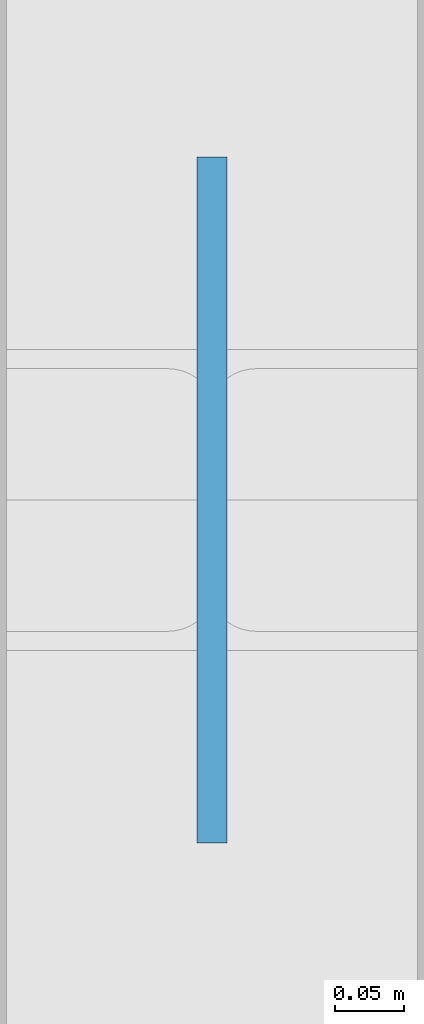
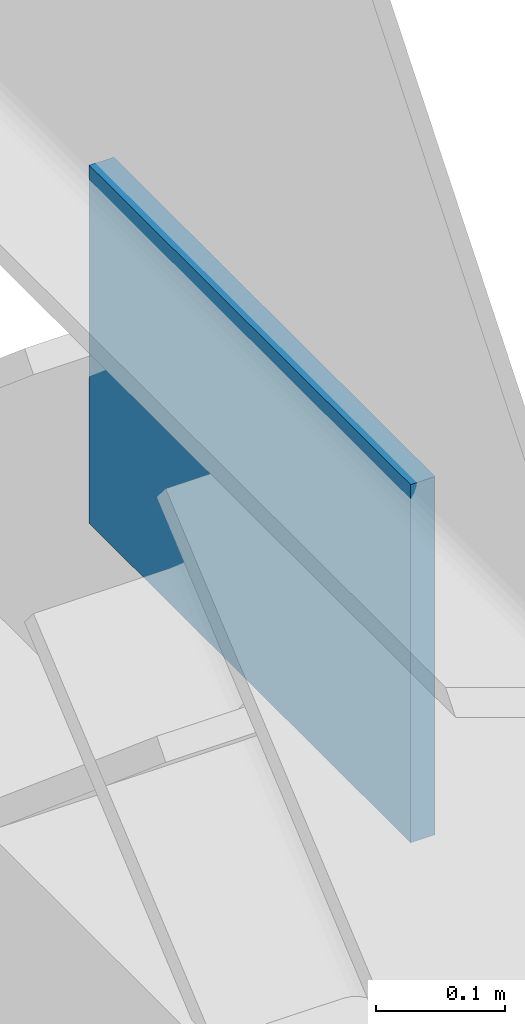
# One storey, part 91 of 124: 1 plate.
"""IFC4 building model written with IfcOpenShell, lengths in metres."""

from ifc_helpers import new_model, si_unit, direction, frame, origin, origin_2d, place, context, subcontext, project, spatial, rectangle, extrude, material, layer, layer_set, type_object, element, save


model = new_model("IFC4")

# Units and contexts
model_context = context("Model", 3, precision=1e-05, world=origin(), true_north=direction((0.0, 1.0)))
body_context = subcontext(model_context, "Body", "Model", "MODEL_VIEW")
ifc_project = project(units=[si_unit("LENGTHUNIT", "METRE"), si_unit("AREAUNIT", "SQUARE_METRE"), si_unit("VOLUMEUNIT", "CUBIC_METRE"), si_unit("PLANEANGLEUNIT", "RADIAN"), si_unit("MASSUNIT", "GRAM", prefix="KILO")], contexts=[model_context])

# Site, building, storey
site_placement = place(None, origin())
site = spatial("IfcSite", under=ifc_project, at=site_placement, CompositionType="ELEMENT")
building_placement = place(site_placement, origin())
building = spatial("IfcBuilding", under=site, at=building_placement, Name="Qasida Concert Hall", CompositionType="ELEMENT")
storey_placement = place(building_placement, frame((0.0, 0.0, 9.0)))
storey = spatial("IfcBuildingStorey", under=building, at=storey_placement, Name="L02", CompositionType="ELEMENT", Elevation=9.0)

# Plate
ifc_material = material(Name="Steel S355J2", Category="steel")
ifc_layer = layer(ifc_material, 0.02197265625, Name="Steel S355J2")
ifc_layer_set = layer_set([ifc_layer], Name="Steel S355J2")
plate_type = type_object("IfcPlateType", Name="PLT-PL-EC5", PredefinedType="SHEET", material=ifc_layer_set)
plate_placement = place(storey_placement, frame((165.0, 86.25, 3.0), z_axis=(0.0, 0.0, 1.0), x_axis=(0.0, 1.0, 0.0)))
element("IfcPlate", 1, at=plate_placement, inside=storey, type_object=plate_type, Name="Chevron apex plate CBF-0097", PredefinedType="SHEET", context=body_context, shape_type="SweptSolid", body=[
    extrude(rectangle(XDim=0.5, YDim=0.02197265625, at=origin_2d()), origin(), (0.0, 0.0, 1.0), 0.340087890625),
])

save(model, "model.ifc")
